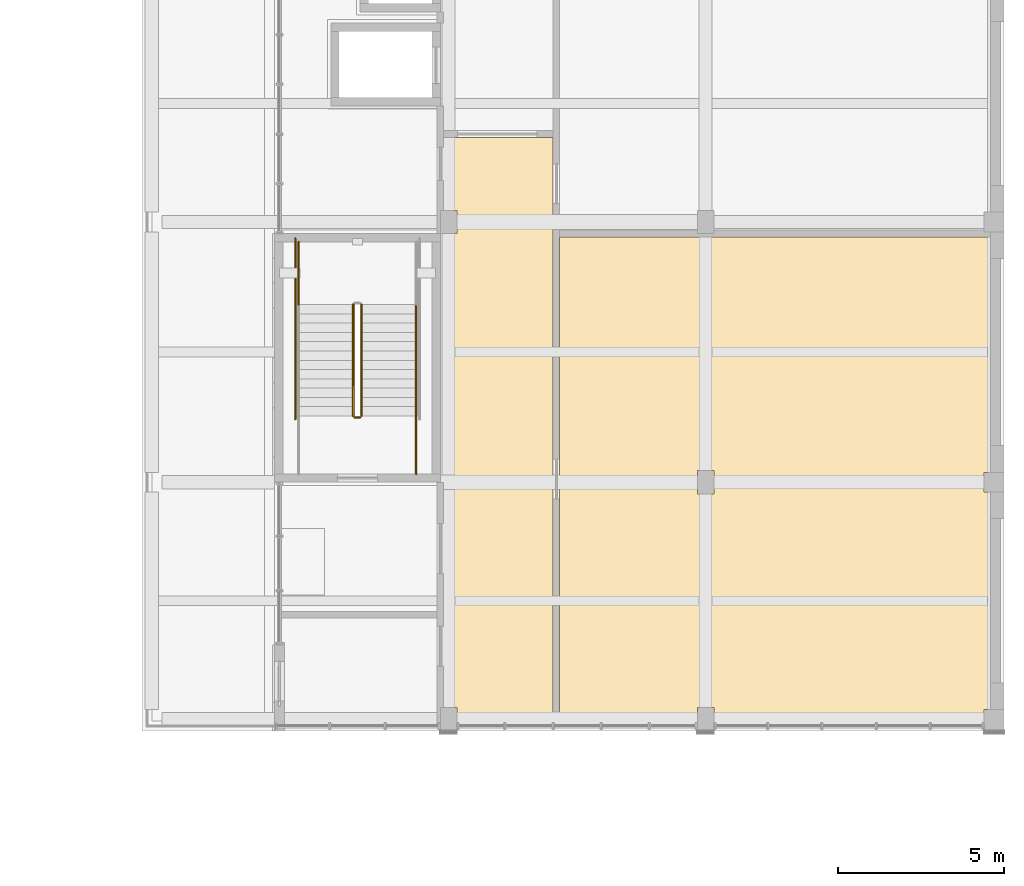
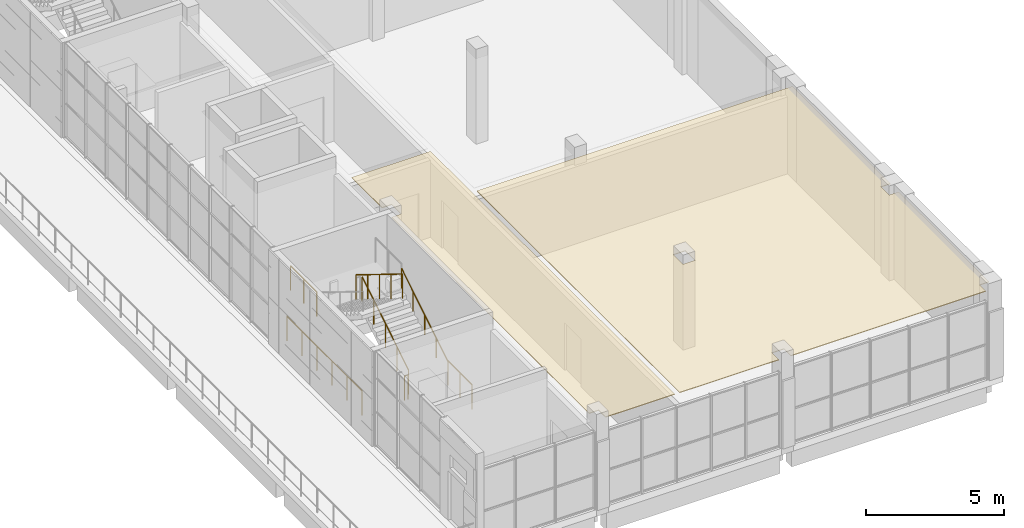
# One storey, part 33 of 36: 7 railings, 2 coverings.
"""IFC4 building model written with IfcOpenShell, lengths in metres."""

from ifc_helpers import new_model, si_unit, direction, frame, origin, origin_2d, place, context, subcontext, project, spatial, polyline, circle, outline, extrude, material, layer, layer_set, type_object, element, save


model = new_model("IFC4")

# Units and contexts
model_context = context("Model", 3, precision=1e-05, world=origin(), true_north=direction((0.0, 1.0)))
body_context = subcontext(model_context, "Body", "Model", "MODEL_VIEW")
ifc_project = project(units=[si_unit("LENGTHUNIT", "METRE"), si_unit("AREAUNIT", "SQUARE_METRE"), si_unit("VOLUMEUNIT", "CUBIC_METRE"), si_unit("PLANEANGLEUNIT", "RADIAN"), si_unit("MASSUNIT", "GRAM", prefix="KILO")], contexts=[model_context])

# Site, building, storey
site_placement = place(None, origin())
site = spatial("IfcSite", under=ifc_project, at=site_placement, CompositionType="ELEMENT")
building_placement = place(site_placement, origin())
building = spatial("IfcBuilding", under=site, at=building_placement, Name="Sun Court Science Centre", CompositionType="ELEMENT")
storey_placement = place(building_placement, frame((0.0, 0.0, 24.75)))
storey = spatial("IfcBuildingStorey", under=building, at=storey_placement, Name="L05", CompositionType="ELEMENT", Elevation=24.75)

# Coverings
ifc_material_1 = material(Name="Gypsum board")
ifc_layer = layer(ifc_material_1, 0.030029296875)
ifc_layer_set = layer_set([ifc_layer], Name="Gypsum board")
covering_type = type_object("IfcCoveringType", Name="Ceiling suspended 600 module", PredefinedType="CEILING", material=ifc_layer_set)
covering_1_placement = place(storey_placement, frame((0.0, 0.0, 3.77001953125)))
element("IfcCovering", 1, at=covering_1_placement, inside=storey, type_object=covering_type, Name="L05-006 ceiling", PredefinedType="CEILING", context=body_context, shape_type="SweptSolid", body=[
    extrude(outline(polyline([(87.10009765625, 29.199951171875), (87.10009765625, 43.5), (87.5, 43.5), (87.5, 44.199951171875), (87.10009765625, 44.199951171875), (87.10009765625, 46.39990234375), (90.39990234375, 46.39990234375), (90.39990234375, 28.699951171875), (87.5, 28.699951171875), (87.5, 29.199951171875), (87.10009765625, 29.199951171875)])), origin(), (0.0, 0.0, 1.0), 0.030029296875),
])
covering_2_placement = place(storey_placement, frame((0.0, 0.0, 3.77001953125)))
element("IfcCovering", 2, at=covering_2_placement, inside=storey, type_object=covering_type, Name="L05-015 ceiling", PredefinedType="CEILING", context=body_context, shape_type="SweptSolid", body=[
    extrude(outline(polyline([(95.25, 28.699951171875), (95.25, 29.199951171875), (94.75, 29.199951171875), (94.75, 28.699951171875), (90.60009765625, 28.699951171875), (90.60009765625, 43.39990234375), (103.800048828125, 43.39990234375), (103.800048828125, 36.300048828125), (103.39990234375, 36.300048828125), (103.39990234375, 35.699951171875), (103.800048828125, 35.699951171875), (103.800048828125, 29.14990234375), (103.39990234375, 29.14990234375), (103.39990234375, 28.699951171875), (95.25, 28.699951171875)]), holes=[polyline([(95.25, 36.35009765625), (94.75, 36.35009765625), (94.75, 35.64990234375), (95.25, 35.64990234375), (95.25, 36.35009765625)])]), origin(), (0.0, 0.0, 1.0), 0.030029296875),
])

# Railings
ifc_material_2 = material(Name="Steel S275", Category="steel")
railing_type_1 = type_object("IfcRailingType", Name="Guard 1100 steel balustrade", PredefinedType="GUARDRAIL", material=ifc_material_2)
railing_1_placement = place(storey_placement, frame((84.625, 37.998046875, 0.173095703125)))
element("IfcRailing", 3, at=railing_1_placement, inside=storey, type_object=railing_type_1, Name="L05 SL2 stair guard 1", PredefinedType="GUARDRAIL", context=body_context, shape_type="SweptSolid", body=[
    extrude(circle(Radius=0.02392578125, at=origin_2d()), frame((0.0, 0.0, 1.076171875), z_axis=(0.0, 0.850606129759, 0.525803396734), x_axis=(-1.0, 0.0, 0.0)), (0.0, 0.0, 1.0), 3.949951171875),
    extrude(circle(Radius=0.02099609375, at=origin_2d()), origin(), (0.0, 0.0, 1.0), 1.052001953125),
    extrude(circle(Radius=0.02099609375, at=origin_2d()), frame((0.0, 0.83984375, 0.519287109375)), (0.0, 0.0, 1.0), 1.052001953125),
    extrude(circle(Radius=0.02099609375, at=origin_2d()), frame((0.0, 1.679931640625, 1.03857421875)), (0.0, 0.0, 1.0), 1.052001953125),
    extrude(circle(Radius=0.02099609375, at=origin_2d()), frame((0.0, 2.52001953125, 1.5576171875)), (0.0, 0.0, 1.0), 1.052001953125),
    extrude(circle(Radius=0.02099609375, at=origin_2d()), frame((0.0, 3.35986328125, 2.076904296875)), (0.0, 0.0, 1.0), 1.052001953125),
])
railing_2_placement = place(storey_placement, frame((82.72705078125, 41.35791015625, 2.25)))
element("IfcRailing", 4, at=railing_2_placement, inside=storey, type_object=railing_type_1, Name="L05 SL2 stair guard 4", PredefinedType="GUARDRAIL", context=body_context, shape_type="SweptSolid", body=[
    extrude(circle(Radius=0.02392578125, at=origin_2d()), frame((0.0, 0.0, 1.076171875), z_axis=(0.0, 1.0, 0.0), x_axis=(-1.0, 0.0, 0.0)), (0.0, 0.0, 1.0), 1.89208984375),
    extrude(circle(Radius=0.02099609375, at=origin_2d()), origin(), (0.0, 0.0, 1.0), 1.052001953125),
    extrude(circle(Radius=0.02099609375, at=origin_2d()), frame((0.0, 0.946044921875, 0.0)), (0.0, 0.0, 1.0), 1.052001953125),
    extrude(circle(Radius=0.02099609375, at=origin_2d()), frame((0.0, 1.89208984375, 0.0)), (0.0, 0.0, 1.0), 1.052001953125),
])
railing_3_placement = place(storey_placement, frame((84.375, 41.35791015625, 2.423095703125)))
element("IfcRailing", 5, at=railing_3_placement, inside=storey, type_object=railing_type_1, Name="L05 SL2 stair guard 5", PredefinedType="GUARDRAIL", context=body_context, shape_type="SweptSolid", body=[
    extrude(circle(Radius=0.02392578125, at=origin_2d()), frame((0.0, 0.0, 1.076171875), z_axis=(0.0, -0.850606129759, 0.525803396734), x_axis=(1.0, 0.0, 0.0)), (0.0, 0.0, 1.0), 3.949951171875),
    extrude(circle(Radius=0.02099609375, at=origin_2d()), origin(), (0.0, 0.0, 1.0), 1.052001953125),
    extrude(circle(Radius=0.02099609375, at=origin_2d()), frame((0.0, -0.83984375, 0.519287109375)), (0.0, 0.0, 1.0), 1.052001953125),
    extrude(circle(Radius=0.02099609375, at=origin_2d()), frame((0.0, -1.679931640625, 1.03857421875)), (0.0, 0.0, 1.0), 1.052001953125),
    extrude(circle(Radius=0.02099609375, at=origin_2d()), frame((0.0, -2.52001953125, 1.5576171875)), (0.0, 0.0, 1.0), 1.052001953125),
    extrude(circle(Radius=0.02099609375, at=origin_2d()), frame((0.0, -3.35986328125, 2.076904296875)), (0.0, 0.0, 1.0), 1.052001953125),
])
railing_4_placement = place(storey_placement, frame((84.574951171875, 37.947998046875, 0.0)))
element("IfcRailing", 6, at=railing_4_placement, inside=storey, type_object=railing_type_1, Name="L05 SL2 stair guard 6", PredefinedType="GUARDRAIL", context=body_context, shape_type="SweptSolid", body=[
    extrude(circle(Radius=0.02392578125, at=origin_2d()), frame((0.0, 0.0, 1.076171875), z_axis=(-1.0, 0.0, 0.0), x_axis=(0.0, -1.0, 0.0)), (0.0, 0.0, 1.0), 0.14990234375),
    extrude(circle(Radius=0.02099609375, at=origin_2d()), origin(), (0.0, 0.0, 1.0), 1.052001953125),
    extrude(circle(Radius=0.02099609375, at=origin_2d()), frame((-0.14990234375, 0.0, 0.0)), (0.0, 0.0, 1.0), 1.052001953125),
])
railing_5_placement = place(storey_placement, frame((86.27294921875, 36.25, 0.0)))
element("IfcRailing", 7, at=railing_5_placement, inside=storey, type_object=railing_type_1, Name="L05 SL2 stair guard 7", PredefinedType="GUARDRAIL", context=body_context, shape_type="SweptSolid", body=[
    extrude(circle(Radius=0.02392578125, at=origin_2d()), frame((0.0, 0.0, 1.076171875), z_axis=(0.0, 1.0, 0.0), x_axis=(-1.0, 0.0, 0.0)), (0.0, 0.0, 1.0), 1.748046875),
    extrude(circle(Radius=0.02099609375, at=origin_2d()), origin(), (0.0, 0.0, 1.0), 1.052001953125),
    extrude(circle(Radius=0.02099609375, at=origin_2d()), frame((0.0, 0.8740234375, 0.0)), (0.0, 0.0, 1.0), 1.052001953125),
    extrude(circle(Radius=0.02099609375, at=origin_2d()), frame((0.0, 1.748046875, 0.0)), (0.0, 0.0, 1.0), 1.052001953125),
])
railing_6_placement = place(storey_placement, frame((82.626953125, 37.89794921875, 0.0)))
element("IfcRailing", 8, at=railing_6_placement, inside=storey, type_object=railing_type_1, Name="L05 SL2 stair guard 10", PredefinedType="GUARDRAIL", context=body_context, shape_type="SweptSolid", body=[
    extrude(circle(Radius=0.02392578125, at=origin_2d()), frame((0.0, 0.0, 1.076171875), z_axis=(0.0, 1.0, 0.0), x_axis=(-1.0, 0.0, 0.0)), (0.0, 0.0, 1.0), 5.4521484375),
    extrude(circle(Radius=0.02099609375, at=origin_2d()), origin(), (0.0, 0.0, 1.0), 1.052001953125),
    extrude(circle(Radius=0.02099609375, at=origin_2d()), frame((0.0, 1.09033203125, 0.0)), (0.0, 0.0, 1.0), 1.052001953125),
    extrude(circle(Radius=0.02099609375, at=origin_2d()), frame((0.0, 2.180908203125, 0.0)), (0.0, 0.0, 1.0), 1.052001953125),
    extrude(circle(Radius=0.02099609375, at=origin_2d()), frame((0.0, 3.271240234375, 0.0)), (0.0, 0.0, 1.0), 1.052001953125),
    extrude(circle(Radius=0.02099609375, at=origin_2d()), frame((0.0, 4.36181640625, 0.0)), (0.0, 0.0, 1.0), 1.052001953125),
    extrude(circle(Radius=0.02099609375, at=origin_2d()), frame((0.0, 5.4521484375, 0.0)), (0.0, 0.0, 1.0), 1.052001953125),
])
ifc_material_3 = material(Name="Stainless steel", Category="steel")
railing_type_2 = type_object("IfcRailingType", Name="Handrail 900 stainless", PredefinedType="HANDRAIL", material=ifc_material_3)
railing_7_placement = place(storey_placement, frame((86.27294921875, 37.998046875, 0.173095703125)))
element("IfcRailing", 9, at=railing_7_placement, inside=storey, type_object=railing_type_2, Name="L05 SL2 stair handrail 1", PredefinedType="HANDRAIL", context=body_context, shape_type="SweptSolid", body=[
    extrude(circle(Radius=0.02392578125, at=origin_2d()), frame((0.0, 0.0, 0.8759765625), z_axis=(0.0, 0.850606129759, 0.525803396734), x_axis=(-1.0, 0.0, 0.0)), (0.0, 0.0, 1.0), 3.949951171875),
    extrude(circle(Radius=0.02099609375, at=origin_2d()), origin(), (0.0, 0.0, 1.0), 0.851806640625),
    extrude(circle(Radius=0.02099609375, at=origin_2d()), frame((0.0, 0.83984375, 0.519287109375)), (0.0, 0.0, 1.0), 0.851806640625),
    extrude(circle(Radius=0.02099609375, at=origin_2d()), frame((0.0, 1.679931640625, 1.03857421875)), (0.0, 0.0, 1.0), 0.851806640625),
    extrude(circle(Radius=0.02099609375, at=origin_2d()), frame((0.0, 2.52001953125, 1.5576171875)), (0.0, 0.0, 1.0), 0.851806640625),
    extrude(circle(Radius=0.02099609375, at=origin_2d()), frame((0.0, 3.35986328125, 2.076904296875)), (0.0, 0.0, 1.0), 0.851806640625),
])

save(model, "model.ifc")
